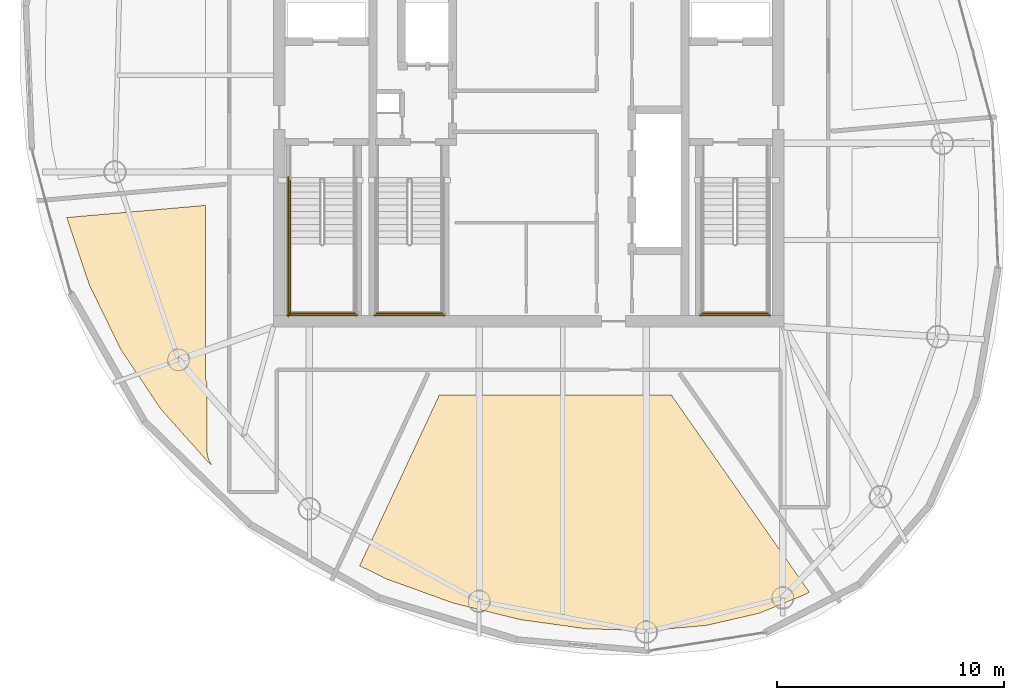
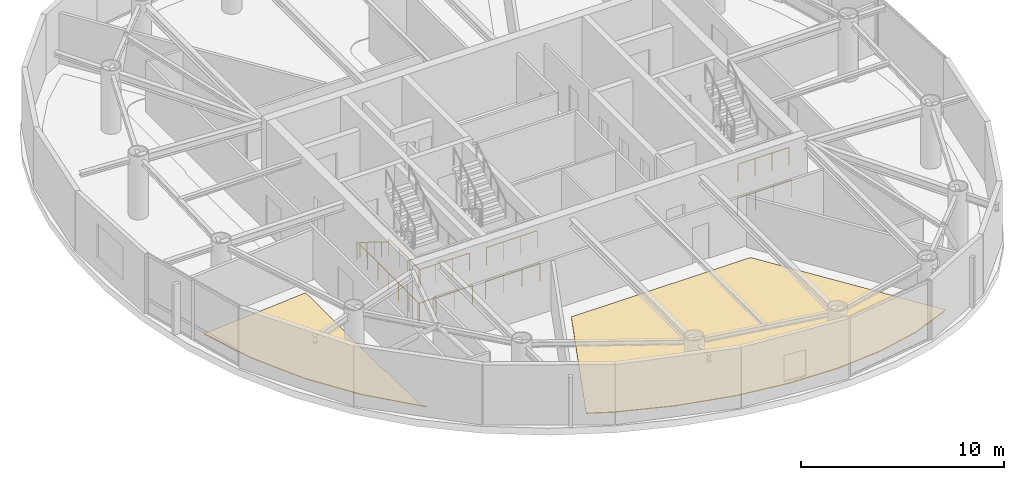
# One storey, part 17 of 20: 9 railings, 2 coverings.
"""IFC4 building model written with IfcOpenShell, lengths in metres."""

from ifc_helpers import new_model, si_unit, direction, frame, origin, origin_2d, place, context, subcontext, project, spatial, polyline, circle, outline, extrude, material, layer, layer_set, type_object, element, save


model = new_model("IFC4")

# Units and contexts
model_context = context("Model", 3, precision=1e-05, world=origin(), true_north=direction((0.0, 1.0)))
body_context = subcontext(model_context, "Body", "Model", "MODEL_VIEW")
ifc_project = project(units=[si_unit("LENGTHUNIT", "METRE"), si_unit("AREAUNIT", "SQUARE_METRE"), si_unit("VOLUMEUNIT", "CUBIC_METRE"), si_unit("PLANEANGLEUNIT", "RADIAN"), si_unit("MASSUNIT", "GRAM", prefix="KILO")], contexts=[model_context])

# Site, building, storey
site_placement = place(None, origin())
site = spatial("IfcSite", under=ifc_project, at=site_placement, CompositionType="ELEMENT")
building_placement = place(site_placement, origin())
building = spatial("IfcBuilding", under=site, at=building_placement, Name="Bramvorn Convention Spire", CompositionType="ELEMENT")
storey_placement = place(building_placement, frame((0.0, 0.0, 242.050048828125)))
storey = spatial("IfcBuildingStorey", under=building, at=storey_placement, Name="L61", CompositionType="ELEMENT", Elevation=242.050048828125)

# Coverings
ifc_material_1 = material(Name="Calcium-Sulphate Raised Access Office Floor", Category="steel")
ifc_layer = layer(ifc_material_1, 0.044921875)
ifc_layer_set = layer_set([ifc_layer], Name="Calcium-Sulphate Raised Access Office Floor - FLR-RAISED-45")
covering_type = type_object("IfcCoveringType", Name="FLR-RAISED-45", PredefinedType="FLOORING", material=ifc_layer_set)
covering_1_placement = place(storey_placement, origin())
element("IfcCovering", 1, at=covering_1_placement, inside=storey, type_object=covering_type, Name="L61 Open-Plan Design Office D 4 raised floor finish", PredefinedType="FLOORING", context=body_context, shape_type="SweptSolid", body=[
    extrude(outline(polyline([(18.634033203125, 20.3994140625), (20.01611328125, 17.5625), (21.765380859375, 14.947509765625), (23.859130859375, 12.599365234375), (24.037841796875, 12.44677734375), (23.88623046875, 12.719970703125), (23.8310546875, 13.00439453125), (23.830078125, 16.04248046875), (23.766357421875, 16.234130859375), (23.75, 16.39990234375), (23.75, 23.89990234375), (17.63720703125, 23.365234375), (18.634033203125, 20.3994140625)])), origin(), (0.0, 0.0, 1.0), 0.044921875),
])
covering_2_placement = place(storey_placement, origin())
element("IfcCovering", 2, at=covering_2_placement, inside=storey, type_object=covering_type, Name="L61 Client Meeting Boardroom 5 raised floor finish", PredefinedType="FLOORING", context=body_context, shape_type="SweptSolid", body=[
    extrude(outline(polyline([(45.830810546875, 5.38525390625), (48.148681640625, 5.920654296875), (50.20849609375, 6.759765625), (50.364990234375, 6.85888671875), (44.279541015625, 15.550048828125), (34.06494140625, 15.550048828125), (30.5517578125, 8.01611328125), (31.74462890625, 7.4287109375), (34.679931640625, 6.369140625), (37.63330078125, 5.641357421875), (40.522705078125, 5.239501953125), (43.27490234375, 5.15625), (45.830810546875, 5.38525390625)])), origin(), (0.0, 0.0, 1.0), 0.044921875),
])

# Railings
ifc_material_2 = material(Name="Painted Steel Balustrade & Guardrail", Category="steel")
railing_type_1 = type_object("IfcRailingType", Name="RL-STAIR-GUARD-1100", PredefinedType="GUARDRAIL", material=ifc_material_2)
railing_1_placement = place(storey_placement, frame((27.5, 22.199951171875, 1.925048828125)))
element("IfcRailing", 3, at=railing_1_placement, inside=storey, type_object=railing_type_1, Name="L61 ST1 stair guard 3", PredefinedType="GUARDRAIL", context=body_context, shape_type="SweptSolid", body=[
    extrude(circle(Radius=0.02392578125, at=origin_2d()), frame((0.0, 0.0, 1.076171875), z_axis=(0.0, -1.0, 0.0), x_axis=(1.0, 0.0, 0.0)), (0.0, 0.0, 1.0), 3.099853515625),
    extrude(circle(Radius=0.02099609375, at=origin_2d()), origin(), (0.0, 0.0, 1.0), 1.052001953125),
    extrude(circle(Radius=0.02099609375, at=origin_2d()), frame((0.0, -1.033203125, 0.0)), (0.0, 0.0, 1.0), 1.052001953125),
    extrude(circle(Radius=0.02099609375, at=origin_2d()), frame((0.0, -2.066650390625, 0.0)), (0.0, 0.0, 1.0), 1.052001953125),
    extrude(circle(Radius=0.02099609375, at=origin_2d()), frame((0.0, -3.099853515625, 0.0)), (0.0, 0.0, 1.0), 1.052001953125),
])
railing_2_placement = place(storey_placement, frame((27.449951171875, 19.14990234375, 1.925048828125)))
element("IfcRailing", 4, at=railing_2_placement, inside=storey, type_object=railing_type_1, Name="L61 ST1 stair guard 5", PredefinedType="GUARDRAIL", context=body_context, shape_type="SweptSolid", body=[
    extrude(circle(Radius=0.02392578125, at=origin_2d()), frame((0.0, 0.0, 1.076171875), z_axis=(1.0, 0.0, 0.0), x_axis=(0.0, 1.0, 0.0)), (0.0, 0.0, 1.0), 2.900146484375),
    extrude(circle(Radius=0.02099609375, at=origin_2d()), origin(), (0.0, 0.0, 1.0), 1.052001953125),
    extrude(circle(Radius=0.02099609375, at=origin_2d()), frame((0.966796875, 0.0, 0.0)), (0.0, 0.0, 1.0), 1.052001953125),
    extrude(circle(Radius=0.02099609375, at=origin_2d()), frame((1.933349609375, 0.0, 0.0)), (0.0, 0.0, 1.0), 1.052001953125),
    extrude(circle(Radius=0.02099609375, at=origin_2d()), frame((2.900146484375, 0.0, 0.0)), (0.0, 0.0, 1.0), 1.052001953125),
])
railing_3_placement = place(storey_placement, frame((27.39990234375, 25.14990234375, 0.0)))
element("IfcRailing", 5, at=railing_3_placement, inside=storey, type_object=railing_type_1, Name="L61 ST1 stair guard 10", PredefinedType="GUARDRAIL", context=body_context, shape_type="SweptSolid", body=[
    extrude(circle(Radius=0.02392578125, at=origin_2d()), frame((0.0, 0.0, 1.076171875), z_axis=(0.0, -1.0, 0.0), x_axis=(1.0, 0.0, 0.0)), (0.0, 0.0, 1.0), 6.14990234375),
    extrude(circle(Radius=0.02099609375, at=origin_2d()), origin(), (0.0, 0.0, 1.0), 1.052001953125),
    extrude(circle(Radius=0.02099609375, at=origin_2d()), frame((0.0, -1.02490234375, 0.0)), (0.0, 0.0, 1.0), 1.052001953125),
    extrude(circle(Radius=0.02099609375, at=origin_2d()), frame((0.0, -2.050048828125, 0.0)), (0.0, 0.0, 1.0), 1.052001953125),
    extrude(circle(Radius=0.02099609375, at=origin_2d()), frame((0.0, -3.074951171875, 0.0)), (0.0, 0.0, 1.0), 1.052001953125),
    extrude(circle(Radius=0.02099609375, at=origin_2d()), frame((0.0, -4.099853515625, 0.0)), (0.0, 0.0, 1.0), 1.052001953125),
    extrude(circle(Radius=0.02099609375, at=origin_2d()), frame((0.0, -5.125, 0.0)), (0.0, 0.0, 1.0), 1.052001953125),
    extrude(circle(Radius=0.02099609375, at=origin_2d()), frame((0.0, -6.14990234375, 0.0)), (0.0, 0.0, 1.0), 1.052001953125),
])
railing_4_placement = place(storey_placement, frame((27.35009765625, 19.050048828125, 0.0)))
element("IfcRailing", 6, at=railing_4_placement, inside=storey, type_object=railing_type_1, Name="L61 ST1 stair guard 12", PredefinedType="GUARDRAIL", context=body_context, shape_type="SweptSolid", body=[
    extrude(circle(Radius=0.02392578125, at=origin_2d()), frame((0.0, 0.0, 1.076171875), z_axis=(1.0, 0.0, 0.0), x_axis=(0.0, 1.0, 0.0)), (0.0, 0.0, 1.0), 3.099853515625),
    extrude(circle(Radius=0.02099609375, at=origin_2d()), origin(), (0.0, 0.0, 1.0), 1.052001953125),
    extrude(circle(Radius=0.02099609375, at=origin_2d()), frame((1.033203125, 0.0, 0.0)), (0.0, 0.0, 1.0), 1.052001953125),
    extrude(circle(Radius=0.02099609375, at=origin_2d()), frame((2.066650390625, 0.0, 0.0)), (0.0, 0.0, 1.0), 1.052001953125),
    extrude(circle(Radius=0.02099609375, at=origin_2d()), frame((3.099853515625, 0.0, 0.0)), (0.0, 0.0, 1.0), 1.052001953125),
])
railing_5_placement = place(storey_placement, frame((45.64990234375, 19.14990234375, 1.925048828125)))
element("IfcRailing", 7, at=railing_5_placement, inside=storey, type_object=railing_type_1, Name="L61 ST2 stair guard 5", PredefinedType="GUARDRAIL", context=body_context, shape_type="SweptSolid", body=[
    extrude(circle(Radius=0.02392578125, at=origin_2d()), frame((0.0, 0.0, 1.076171875), z_axis=(1.0, 0.0, 0.0), x_axis=(0.0, 1.0, 0.0)), (0.0, 0.0, 1.0), 2.900146484375),
    extrude(circle(Radius=0.02099609375, at=origin_2d()), origin(), (0.0, 0.0, 1.0), 1.052001953125),
    extrude(circle(Radius=0.02099609375, at=origin_2d()), frame((0.966796875, 0.0, 0.0)), (0.0, 0.0, 1.0), 1.052001953125),
    extrude(circle(Radius=0.02099609375, at=origin_2d()), frame((1.933349609375, 0.0, 0.0)), (0.0, 0.0, 1.0), 1.052001953125),
    extrude(circle(Radius=0.02099609375, at=origin_2d()), frame((2.900146484375, 0.0, 0.0)), (0.0, 0.0, 1.0), 1.052001953125),
])
railing_6_placement = place(storey_placement, frame((45.550048828125, 19.050048828125, 0.0)))
element("IfcRailing", 8, at=railing_6_placement, inside=storey, type_object=railing_type_1, Name="L61 ST2 stair guard 12", PredefinedType="GUARDRAIL", context=body_context, shape_type="SweptSolid", body=[
    extrude(circle(Radius=0.02392578125, at=origin_2d()), frame((0.0, 0.0, 1.076171875), z_axis=(1.0, 0.0, 0.0), x_axis=(0.0, 1.0, 0.0)), (0.0, 0.0, 1.0), 3.099853515625),
    extrude(circle(Radius=0.02099609375, at=origin_2d()), origin(), (0.0, 0.0, 1.0), 1.052001953125),
    extrude(circle(Radius=0.02099609375, at=origin_2d()), frame((1.033203125, 0.0, 0.0)), (0.0, 0.0, 1.0), 1.052001953125),
    extrude(circle(Radius=0.02099609375, at=origin_2d()), frame((2.066650390625, 0.0, 0.0)), (0.0, 0.0, 1.0), 1.052001953125),
    extrude(circle(Radius=0.02099609375, at=origin_2d()), frame((3.099853515625, 0.0, 0.0)), (0.0, 0.0, 1.0), 1.052001953125),
])
railing_7_placement = place(storey_placement, frame((31.300048828125, 19.14990234375, 1.925048828125)))
element("IfcRailing", 9, at=railing_7_placement, inside=storey, type_object=railing_type_1, Name="L61 ST3 stair guard 5", PredefinedType="GUARDRAIL", context=body_context, shape_type="SweptSolid", body=[
    extrude(circle(Radius=0.02392578125, at=origin_2d()), frame((0.0, 0.0, 1.076171875), z_axis=(1.0, 0.0, 0.0), x_axis=(0.0, 1.0, 0.0)), (0.0, 0.0, 1.0), 2.89990234375),
    extrude(circle(Radius=0.02099609375, at=origin_2d()), origin(), (0.0, 0.0, 1.0), 1.052001953125),
    extrude(circle(Radius=0.02099609375, at=origin_2d()), frame((0.966552734375, 0.0, 0.0)), (0.0, 0.0, 1.0), 1.052001953125),
    extrude(circle(Radius=0.02099609375, at=origin_2d()), frame((1.933349609375, 0.0, 0.0)), (0.0, 0.0, 1.0), 1.052001953125),
    extrude(circle(Radius=0.02099609375, at=origin_2d()), frame((2.89990234375, 0.0, 0.0)), (0.0, 0.0, 1.0), 1.052001953125),
])
railing_8_placement = place(storey_placement, frame((31.199951171875, 19.050048828125, 0.0)))
element("IfcRailing", 10, at=railing_8_placement, inside=storey, type_object=railing_type_1, Name="L61 ST3 stair guard 12", PredefinedType="GUARDRAIL", context=body_context, shape_type="SweptSolid", body=[
    extrude(circle(Radius=0.02392578125, at=origin_2d()), frame((0.0, 0.0, 1.076171875), z_axis=(1.0, 0.0, 0.0), x_axis=(0.0, 1.0, 0.0)), (0.0, 0.0, 1.0), 3.10009765625),
    extrude(circle(Radius=0.02099609375, at=origin_2d()), origin(), (0.0, 0.0, 1.0), 1.052001953125),
    extrude(circle(Radius=0.02099609375, at=origin_2d()), frame((1.033447265625, 0.0, 0.0)), (0.0, 0.0, 1.0), 1.052001953125),
    extrude(circle(Radius=0.02099609375, at=origin_2d()), frame((2.066650390625, 0.0, 0.0)), (0.0, 0.0, 1.0), 1.052001953125),
    extrude(circle(Radius=0.02099609375, at=origin_2d()), frame((3.10009765625, 0.0, 0.0)), (0.0, 0.0, 1.0), 1.052001953125),
])
ifc_material_3 = material(Name="Brushed Bronze Tubular Handrail", Category="aluminium")
railing_type_2 = type_object("IfcRailingType", Name="RL-STAIR-HR-920", PredefinedType="HANDRAIL", material=ifc_material_3)
railing_9_placement = place(storey_placement, frame((27.5, 25.050048828125, 0.175048828125)))
element("IfcRailing", 11, at=railing_9_placement, inside=storey, type_object=railing_type_2, Name="L61 ST1 stair handrail 1", PredefinedType="HANDRAIL", context=body_context, shape_type="SweptSolid", body=[
    extrude(circle(Radius=0.02392578125, at=origin_2d()), frame((0.0, 0.0, 0.89599609375), z_axis=(0.0, -0.852179220489, 0.52325001306), x_axis=(1.0, 0.0, 0.0)), (0.0, 0.0, 1.0), 3.344482421875),
    extrude(circle(Radius=0.02099609375, at=origin_2d()), origin(), (0.0, 0.0, 1.0), 0.871826171875),
    extrude(circle(Radius=0.02099609375, at=origin_2d()), frame((0.0, -0.71240234375, 0.4375)), (0.0, 0.0, 1.0), 0.871826171875),
    extrude(circle(Radius=0.02099609375, at=origin_2d()), frame((0.0, -1.425048828125, 0.875)), (0.0, 0.0, 1.0), 0.871826171875),
    extrude(circle(Radius=0.02099609375, at=origin_2d()), frame((0.0, -2.1376953125, 1.3125)), (0.0, 0.0, 1.0), 0.871826171875),
    extrude(circle(Radius=0.02099609375, at=origin_2d()), frame((0.0, -2.85009765625, 1.75)), (0.0, 0.0, 1.0), 0.871826171875),
])

save(model, "model.ifc")
